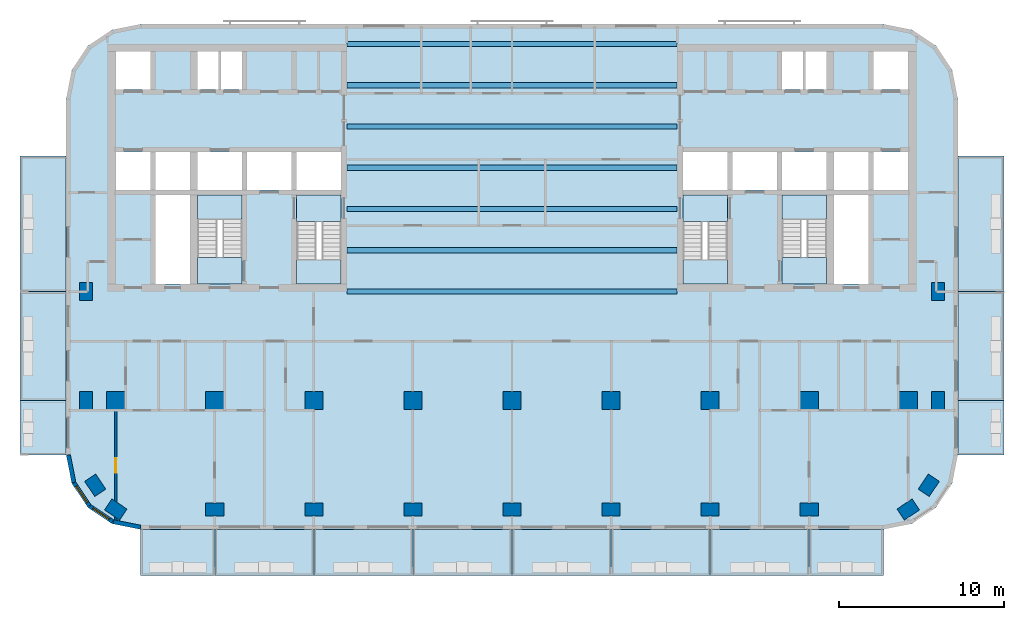
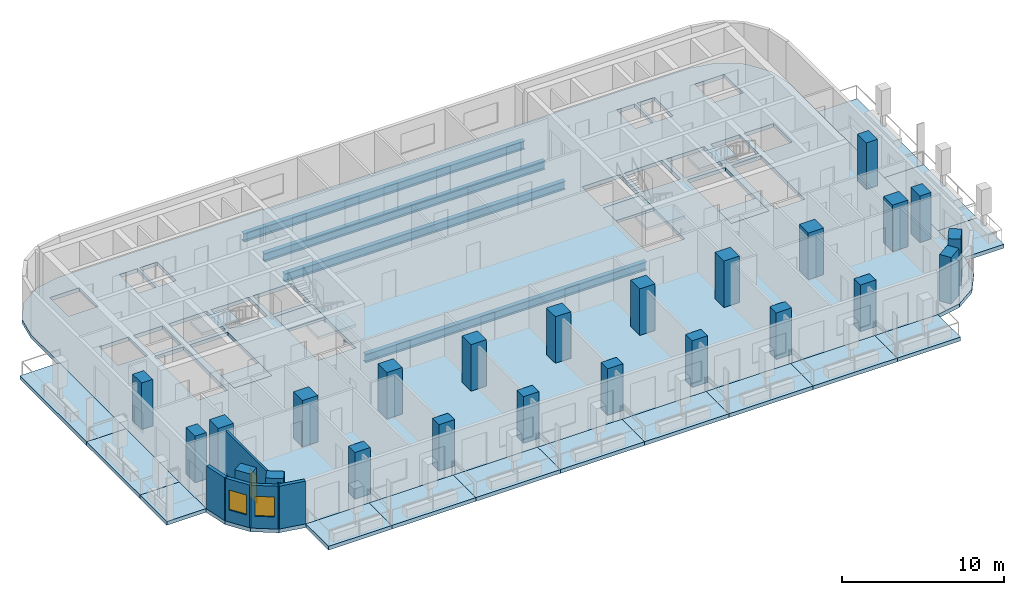
# One storey, part 1 of 12: 24 columns, 23 slabs, 7 beams, 5 walls, 2 windows, 1 door, 3 openings, 4 elements without a shape of their own.
"""IFC4 building model written with IfcOpenShell, lengths in metres."""

from ifc_helpers import new_model, si_unit, direction, frame, frame_2d, origin, origin_2d, place, context, subcontext, project, spatial, polyline, rectangle, i_section, outline, extrude, material, layer, layer_set, material_profile, profile_set, type_object, element, fill, aggregate, save


model = new_model("IFC4")

# Units and contexts
model_context = context("Model", 3, precision=1e-05, world=origin(), true_north=direction((0.0, 1.0)))
body_context = subcontext(model_context, "Body", "Model", "MODEL_VIEW")
ifc_project = project(units=[si_unit("LENGTHUNIT", "METRE"), si_unit("AREAUNIT", "SQUARE_METRE"), si_unit("VOLUMEUNIT", "CUBIC_METRE"), si_unit("PLANEANGLEUNIT", "RADIAN"), si_unit("MASSUNIT", "GRAM", prefix="KILO")], contexts=[model_context])

# Site, building, storey
site_placement = place(None, origin())
site = spatial("IfcSite", under=ifc_project, at=site_placement, CompositionType="ELEMENT")
building_placement = place(site_placement, origin())
building = spatial("IfcBuilding", under=site, at=building_placement, Name="Torana Hotel and Residences", CompositionType="ELEMENT")
storey_placement = place(building_placement, frame((0.0, 0.0, 201.10009765625)))
storey = spatial("IfcBuildingStorey", under=building, at=storey_placement, Name="L52", CompositionType="ELEMENT", Elevation=201.10009765625)

# Columns
ifc_material_1 = material(Name="Concrete C60/75", Category="concrete")
ifc_material_profile_1 = material_profile(ifc_material_1, rectangle(XDim=1.10009765625, YDim=1.10009765625, at=origin_2d()), Name="RC 1100x1100")
ifc_profile_set_1 = profile_set([ifc_material_profile_1], Name="Concrete C60/75")
column_type_1 = type_object("IfcColumnType", Name="COLUMN RC 1100x1100 C60/75", PredefinedType="COLUMN", material=ifc_profile_set_1)
for number, where, z_axis, x_axis, name in (
    (1, (-24.0, -21.60009765625, 0.0), (0.0, 0.0, 1.0), (1.0, 0.0, 0.0), "Column L52"),
    (2, (-18.0, -21.60009765625, 0.0), (0.0, 0.0, 1.0), (1.0, 0.0, 0.0), "Column L52"),
    (3, (-12.0, -21.60009765625, 0.0), (0.0, 0.0, 1.0), (1.0, 0.0, 0.0), "Column L52"),
    (4, (-6.0, -21.60009765625, 0.0), (0.0, 0.0, 1.0), (1.0, 0.0, 0.0), "Column L52"),
    (5, (0.0, -21.60009765625, 0.0), (0.0, 0.0, 1.0), (1.0, 0.0, 0.0), "Column L52"),
    (6, (6.0, -21.60009765625, 0.0), (0.0, 0.0, 1.0), (1.0, 0.0, 0.0), "Column L52"),
    (7, (12.0, -21.60009765625, 0.0), (0.0, 0.0, 1.0), (1.0, 0.0, 0.0), "Column L52"),
    (8, (18.0, -21.60009765625, 0.0), (0.0, 0.0, 1.0), (1.0, 0.0, 0.0), "Column L52"),
    (9, (24.0, -21.60009765625, 0.0), (0.0, 0.0, 1.0), (1.0, 0.0, 0.0), "Column L52"),
):
    element("IfcColumn", number, at=place(storey_placement, frame(where, z_axis=z_axis, x_axis=x_axis)), inside=storey, type_object=column_type_1, Name=name, PredefinedType="COLUMN", context=body_context, shape_type="SweptSolid", body=[
        extrude(rectangle(XDim=1.10009765625, YDim=1.10009765625, at=origin_2d()), origin(), (0.0, 0.0, 1.0), 3.5),
    ])
ifc_material_2 = material(Name="Concrete C60/75", Category="concrete")
ifc_material_profile_2 = material_profile(ifc_material_2, rectangle(XDim=1.10009765625, YDim=0.800048828125, at=origin_2d()), Name="RC 1100x800")
ifc_profile_set_2 = profile_set([ifc_material_profile_2], Name="Concrete C60/75")
column_type_2 = type_object("IfcColumnType", Name="COLUMN RC 1100x800 C60/75", PredefinedType="COLUMN", material=ifc_profile_set_2)
for number, where, z_axis, x_axis, name in (
    (10, (-25.800048828125, -21.60009765625, 0.0), (0.0, 0.0, 1.0), (0.0, 1.0, 0.0), "Column L52"),
    (11, (-25.800048828125, -15.0, 0.0), (0.0, 0.0, 1.0), (0.0, 1.0, 0.0), "Column L52"),
    (12, (-25.243896484375, -26.73291015625, 0.0), (0.0, 0.0, 1.0), (-0.555584744817, 0.831459915646, 0.0), "Column L52"),
    (13, (-24.0, -28.199951171875, 0.0), (0.0, 0.0, 1.0), (-0.831459915646, 0.555584744817, 0.0), "Column L52"),
    (14, (-18.0, -28.199951171875, 0.0), (0.0, 0.0, 1.0), (1.0, 0.0, 0.0), "Column L52"),
    (15, (-12.0, -28.199951171875, 0.0), (0.0, 0.0, 1.0), (1.0, 0.0, 0.0), "Column L52"),
    (16, (-6.0, -28.199951171875, 0.0), (0.0, 0.0, 1.0), (1.0, 0.0, 0.0), "Column L52"),
    (17, (0.0, -28.199951171875, 0.0), (0.0, 0.0, 1.0), (1.0, 0.0, 0.0), "Column L52"),
    (18, (6.0, -28.199951171875, 0.0), (0.0, 0.0, 1.0), (1.0, 0.0, 0.0), "Column L52"),
    (19, (12.0, -28.199951171875, 0.0), (0.0, 0.0, 1.0), (1.0, 0.0, 0.0), "Column L52"),
    (20, (18.0, -28.199951171875, 0.0), (0.0, 0.0, 1.0), (1.0, 0.0, 0.0), "Column L52"),
    (21, (24.0, -28.199951171875, 0.0), (0.0, 0.0, 1.0), (0.831459915646, 0.555584744817, 0.0), "Column L52"),
    (22, (25.243896484375, -26.73291015625, 0.0), (0.0, 0.0, 1.0), (0.555584744817, 0.831459915646, 0.0), "Column L52"),
    (23, (25.800048828125, -21.60009765625, 0.0), (0.0, 0.0, 1.0), (0.0, 1.0, 0.0), "Column L52"),
    (24, (25.800048828125, -15.0, 0.0), (0.0, 0.0, 1.0), (0.0, 1.0, 0.0), "Column L52"),
):
    element("IfcColumn", number, at=place(storey_placement, frame(where, z_axis=z_axis, x_axis=x_axis)), inside=storey, type_object=column_type_2, Name=name, PredefinedType="COLUMN", context=body_context, shape_type="SweptSolid", body=[
        extrude(rectangle(XDim=1.10009765625, YDim=0.800048828125, at=origin_2d()), origin(), (0.0, 0.0, 1.0), 3.5),
    ])

# Beams
ifc_material_3 = material(Name="Steel S355", Category="steel")
ifc_material_profile_3 = material_profile(ifc_material_3, i_section(OverallWidth=0.311279296875, OverallDepth=0.6357421875, WebThickness=0.018310546875, FlangeThickness=0.031494140625, FilletRadius=0.0166015625, at=origin_2d()), Name="610x305x238 UB")
ifc_profile_set_3 = profile_set([ifc_material_profile_3], Name="Steel S355")
beam_type = type_object("IfcBeamType", Name="STEEL GIRDER 610x305x238 UB", PredefinedType="BEAM", material=ifc_profile_set_3)
for number, where, z_axis, x_axis, name in (
    (25, (-10.0, -15.0, -0.597900390625), (1.0, 0.0, 0.0), (0.0, 1.0, 0.0), "Floor girder"),
    (26, (-10.0, -12.5, -0.597900390625), (1.0, 0.0, 0.0), (0.0, 1.0, 0.0), "Floor girder"),
    (27, (-10.0, -10.0, -0.597900390625), (1.0, 0.0, 0.0), (0.0, 1.0, 0.0), "Floor girder"),
    (28, (-10.0, -7.5, -0.597900390625), (1.0, 0.0, 0.0), (0.0, 1.0, 0.0), "Floor girder"),
    (29, (-10.0, -5.0, -0.597900390625), (1.0, 0.0, 0.0), (0.0, 1.0, 0.0), "Floor girder"),
    (30, (-10.0, -2.5, -0.597900390625), (1.0, 0.0, 0.0), (0.0, 1.0, 0.0), "Floor girder"),
    (31, (-10.0, 0.0, -0.597900390625), (1.0, 0.0, 0.0), (0.0, 1.0, 0.0), "Floor girder"),
):
    element("IfcBeam", number, at=place(storey_placement, frame(where, z_axis=z_axis, x_axis=x_axis)), inside=storey, type_object=beam_type, Name=name, PredefinedType="BEAM", context=body_context, shape_type="SweptSolid", body=[
        extrude(i_section(OverallWidth=0.311279296875, OverallDepth=0.6357421875, WebThickness=0.018310546875, FlangeThickness=0.031494140625, FilletRadius=0.0166015625, at=origin_2d()), origin(), (0.0, 0.0, 1.0), 20.0),
    ])

# Slabs
ifc_material_4 = material(Name="Concrete C40/50", Category="concrete")
ifc_layer_1 = layer(ifc_material_4, 0.280029296875)
ifc_layer_set_1 = layer_set([ifc_layer_1], Name="BAL1 BALCONY SLAB 280")
slab_type_1 = type_object("IfcSlabType", Name="BAL1 BALCONY SLAB 280", PredefinedType="USERDEFINED", material=ifc_layer_set_1)
slab_1_placement = place(storey_placement, frame((0.0, 0.0, -0.280029296875)))
element("IfcSlab", 32, at=slab_1_placement, inside=storey, type_object=slab_type_1, Name="Balcony 01", ObjectType="BALCONY", PredefinedType="USERDEFINED", context=body_context, shape_type="SweptSolid", body=[
    extrude(outline(polyline([(-22.5, -32.199951171875), (-18.0, -32.199951171875), (-18.0, -29.39990234375), (-22.5, -29.39990234375), (-22.5, -32.199951171875)])), origin(), (0.0, 0.0, 1.0), 0.280029296875),
])
slab_2_placement = place(storey_placement, frame((0.0, 0.0, -0.280029296875)))
element("IfcSlab", 33, at=slab_2_placement, inside=storey, type_object=slab_type_1, Name="Balcony 02", ObjectType="BALCONY", PredefinedType="USERDEFINED", context=body_context, shape_type="SweptSolid", body=[
    extrude(outline(polyline([(-18.0, -32.199951171875), (-12.0, -32.199951171875), (-12.0, -29.39990234375), (-18.0, -29.39990234375), (-18.0, -32.199951171875)])), origin(), (0.0, 0.0, 1.0), 0.280029296875),
])
slab_3_placement = place(storey_placement, frame((0.0, 0.0, -0.280029296875)))
element("IfcSlab", 34, at=slab_3_placement, inside=storey, type_object=slab_type_1, Name="Balcony 03", ObjectType="BALCONY", PredefinedType="USERDEFINED", context=body_context, shape_type="SweptSolid", body=[
    extrude(outline(polyline([(-12.0, -32.199951171875), (-6.0, -32.199951171875), (-6.0, -29.39990234375), (-12.0, -29.39990234375), (-12.0, -32.199951171875)])), origin(), (0.0, 0.0, 1.0), 0.280029296875),
])
slab_4_placement = place(storey_placement, frame((0.0, 0.0, -0.280029296875)))
element("IfcSlab", 35, at=slab_4_placement, inside=storey, type_object=slab_type_1, Name="Balcony 04", ObjectType="BALCONY", PredefinedType="USERDEFINED", context=body_context, shape_type="SweptSolid", body=[
    extrude(outline(polyline([(-6.0, -32.199951171875), (0.0, -32.199951171875), (0.0, -29.39990234375), (-6.0, -29.39990234375), (-6.0, -32.199951171875)])), origin(), (0.0, 0.0, 1.0), 0.280029296875),
])
slab_5_placement = place(storey_placement, frame((0.0, 0.0, -0.280029296875)))
element("IfcSlab", 36, at=slab_5_placement, inside=storey, type_object=slab_type_1, Name="Balcony 05", ObjectType="BALCONY", PredefinedType="USERDEFINED", context=body_context, shape_type="SweptSolid", body=[
    extrude(outline(polyline([(0.0, -32.199951171875), (6.0, -32.199951171875), (6.0, -29.39990234375), (0.0, -29.39990234375), (0.0, -32.199951171875)])), origin(), (0.0, 0.0, 1.0), 0.280029296875),
])
slab_6_placement = place(storey_placement, frame((0.0, 0.0, -0.280029296875)))
element("IfcSlab", 37, at=slab_6_placement, inside=storey, type_object=slab_type_1, Name="Balcony 06", ObjectType="BALCONY", PredefinedType="USERDEFINED", context=body_context, shape_type="SweptSolid", body=[
    extrude(outline(polyline([(6.0, -32.199951171875), (12.0, -32.199951171875), (12.0, -29.39990234375), (6.0, -29.39990234375), (6.0, -32.199951171875)])), origin(), (0.0, 0.0, 1.0), 0.280029296875),
])
slab_7_placement = place(storey_placement, frame((0.0, 0.0, -0.280029296875)))
element("IfcSlab", 38, at=slab_7_placement, inside=storey, type_object=slab_type_1, Name="Balcony 07", ObjectType="BALCONY", PredefinedType="USERDEFINED", context=body_context, shape_type="SweptSolid", body=[
    extrude(outline(polyline([(12.0, -32.199951171875), (18.0, -32.199951171875), (18.0, -29.39990234375), (12.0, -29.39990234375), (12.0, -32.199951171875)])), origin(), (0.0, 0.0, 1.0), 0.280029296875),
])
slab_8_placement = place(storey_placement, frame((0.0, 0.0, -0.280029296875)))
element("IfcSlab", 39, at=slab_8_placement, inside=storey, type_object=slab_type_1, Name="Balcony 08", ObjectType="BALCONY", PredefinedType="USERDEFINED", context=body_context, shape_type="SweptSolid", body=[
    extrude(outline(polyline([(18.0, -32.199951171875), (22.5, -32.199951171875), (22.5, -29.39990234375), (18.0, -29.39990234375), (18.0, -32.199951171875)])), origin(), (0.0, 0.0, 1.0), 0.280029296875),
])
slab_9_placement = place(storey_placement, frame((0.0, 0.0, -0.280029296875)))
element("IfcSlab", 40, at=slab_9_placement, inside=storey, type_object=slab_type_1, Name="Balcony 09", ObjectType="BALCONY", PredefinedType="USERDEFINED", context=body_context, shape_type="SweptSolid", body=[
    extrude(outline(polyline([(-29.800048828125, -24.89990234375), (-27.0, -24.89990234375), (-27.0, -21.60009765625), (-29.800048828125, -21.60009765625), (-29.800048828125, -24.89990234375)])), origin(), (0.0, 0.0, 1.0), 0.280029296875),
])
slab_10_placement = place(storey_placement, frame((0.0, 0.0, -0.280029296875)))
element("IfcSlab", 41, at=slab_10_placement, inside=storey, type_object=slab_type_1, Name="Balcony 10", ObjectType="BALCONY", PredefinedType="USERDEFINED", context=body_context, shape_type="SweptSolid", body=[
    extrude(outline(polyline([(-29.800048828125, -21.60009765625), (-27.0, -21.60009765625), (-27.0, -15.0), (-29.800048828125, -15.0), (-29.800048828125, -21.60009765625)])), origin(), (0.0, 0.0, 1.0), 0.280029296875),
])
slab_11_placement = place(storey_placement, frame((0.0, 0.0, -0.280029296875)))
element("IfcSlab", 42, at=slab_11_placement, inside=storey, type_object=slab_type_1, Name="Balcony 11", ObjectType="BALCONY", PredefinedType="USERDEFINED", context=body_context, shape_type="SweptSolid", body=[
    extrude(outline(polyline([(-29.800048828125, -15.0), (-27.0, -15.0), (-27.0, -6.800048828125), (-29.800048828125, -6.800048828125), (-29.800048828125, -15.0)])), origin(), (0.0, 0.0, 1.0), 0.280029296875),
])
slab_12_placement = place(storey_placement, frame((0.0, 0.0, -0.280029296875)))
element("IfcSlab", 43, at=slab_12_placement, inside=storey, type_object=slab_type_1, Name="Balcony 12", ObjectType="BALCONY", PredefinedType="USERDEFINED", context=body_context, shape_type="SweptSolid", body=[
    extrude(outline(polyline([(27.0, -24.89990234375), (29.800048828125, -24.89990234375), (29.800048828125, -21.60009765625), (27.0, -21.60009765625), (27.0, -24.89990234375)])), origin(), (0.0, 0.0, 1.0), 0.280029296875),
])
slab_13_placement = place(storey_placement, frame((0.0, 0.0, -0.280029296875)))
element("IfcSlab", 44, at=slab_13_placement, inside=storey, type_object=slab_type_1, Name="Balcony 13", ObjectType="BALCONY", PredefinedType="USERDEFINED", context=body_context, shape_type="SweptSolid", body=[
    extrude(outline(polyline([(27.0, -21.60009765625), (29.800048828125, -21.60009765625), (29.800048828125, -15.0), (27.0, -15.0), (27.0, -21.60009765625)])), origin(), (0.0, 0.0, 1.0), 0.280029296875),
])
slab_14_placement = place(storey_placement, frame((0.0, 0.0, -0.280029296875)))
element("IfcSlab", 45, at=slab_14_placement, inside=storey, type_object=slab_type_1, Name="Balcony 14", ObjectType="BALCONY", PredefinedType="USERDEFINED", context=body_context, shape_type="SweptSolid", body=[
    extrude(outline(polyline([(27.0, -15.0), (29.800048828125, -15.0), (29.800048828125, -6.800048828125), (27.0, -6.800048828125), (27.0, -15.0)])), origin(), (0.0, 0.0, 1.0), 0.280029296875),
])
ifc_material_5 = material(Name="Concrete C40/50", Category="concrete")
ifc_layer_2 = layer(ifc_material_5, 0.280029296875)
ifc_layer_set_2 = layer_set([ifc_layer_2], Name="FLOOR SLAB PT 280")
slab_type_2 = type_object("IfcSlabType", Name="FLOOR SLAB PT 280", PredefinedType="FLOOR", material=ifc_layer_set_2)
slab_15_placement = place(storey_placement, frame((0.0, 0.0, -0.280029296875)))
element("IfcSlab", 46, at=slab_15_placement, inside=storey, type_object=slab_type_2, Name="Floor slab", PredefinedType="FLOOR", context=body_context, shape_type="SweptSolid", body=[
    extrude(outline(polyline([(27.0, -3.300048828125), (26.657470703125, -1.577880859375), (25.681884765625, -0.117919921875), (24.22216796875, 0.857421875), (22.5, 1.199951171875), (-22.5, 1.199951171875), (-24.22216796875, 0.857421875), (-25.681884765625, -0.117919921875), (-26.657470703125, -1.577880859375), (-27.0, -3.300048828125), (-27.0, -24.89990234375), (-26.657470703125, -26.6220703125), (-25.681884765625, -28.08203125), (-24.22216796875, -29.0576171875), (-22.5, -29.39990234375), (22.5, -29.39990234375), (24.22216796875, -29.0576171875), (25.681884765625, -28.08203125), (26.657470703125, -26.6220703125), (27.0, -24.89990234375), (27.0, -3.300048828125)]), holes=[polyline([(-13.050048828125, -14.550048828125), (-10.35009765625, -14.550048828125), (-10.35009765625, -9.14990234375), (-13.050048828125, -9.14990234375), (-13.050048828125, -14.550048828125)]), polyline([(-19.050048828125, -14.550048828125), (-16.35009765625, -14.550048828125), (-16.35009765625, -9.14990234375), (-19.050048828125, -9.14990234375), (-19.050048828125, -14.550048828125)]), polyline([(-17.625, -2.75), (-16.35009765625, -2.75), (-16.35009765625, -0.449951171875), (-17.625, -0.449951171875), (-17.625, -2.75)]), polyline([(-19.050048828125, -2.75), (-17.77490234375, -2.75), (-17.77490234375, -0.449951171875), (-19.050048828125, -0.449951171875), (-19.050048828125, -2.75)]), polyline([(-21.60009765625, -8.85009765625), (-19.5, -8.85009765625), (-19.5, -6.550048828125), (-21.60009765625, -6.550048828125), (-21.60009765625, -8.85009765625)]), polyline([(-24.0, -2.75), (-21.89990234375, -2.75), (-21.89990234375, -0.449951171875), (-24.0, -0.449951171875), (-24.0, -2.75)]), polyline([(-24.0, -8.85009765625), (-21.89990234375, -8.85009765625), (-21.89990234375, -6.550048828125), (-24.0, -6.550048828125), (-24.0, -8.85009765625)]), polyline([(-13.050048828125, -8.85009765625), (-10.35009765625, -8.85009765625), (-10.35009765625, -6.550048828125), (-13.050048828125, -6.550048828125), (-13.050048828125, -8.85009765625)]), polyline([(-16.050048828125, -8.85009765625), (-13.35009765625, -8.85009765625), (-13.35009765625, -6.550048828125), (-16.050048828125, -6.550048828125), (-16.050048828125, -8.85009765625)]), polyline([(-19.050048828125, -8.85009765625), (-16.35009765625, -8.85009765625), (-16.35009765625, -6.550048828125), (-19.050048828125, -6.550048828125), (-19.050048828125, -8.85009765625)]), polyline([(-21.60009765625, -14.550048828125), (-19.5, -14.550048828125), (-19.5, -9.14990234375), (-21.60009765625, -9.14990234375), (-21.60009765625, -14.550048828125)]), polyline([(10.35009765625, -14.550048828125), (13.050048828125, -14.550048828125), (13.050048828125, -9.14990234375), (10.35009765625, -9.14990234375), (10.35009765625, -14.550048828125)]), polyline([(16.35009765625, -14.550048828125), (19.050048828125, -14.550048828125), (19.050048828125, -9.14990234375), (16.35009765625, -9.14990234375), (16.35009765625, -14.550048828125)]), polyline([(16.35009765625, -2.75), (17.625, -2.75), (17.625, -0.449951171875), (16.35009765625, -0.449951171875), (16.35009765625, -2.75)]), polyline([(17.77490234375, -2.75), (19.050048828125, -2.75), (19.050048828125, -0.449951171875), (17.77490234375, -0.449951171875), (17.77490234375, -2.75)]), polyline([(19.5, -8.85009765625), (21.60009765625, -8.85009765625), (21.60009765625, -6.550048828125), (19.5, -6.550048828125), (19.5, -8.85009765625)]), polyline([(21.89990234375, -2.75), (24.0, -2.75), (24.0, -0.449951171875), (21.89990234375, -0.449951171875), (21.89990234375, -2.75)]), polyline([(21.89990234375, -8.85009765625), (24.0, -8.85009765625), (24.0, -6.550048828125), (21.89990234375, -6.550048828125), (21.89990234375, -8.85009765625)]), polyline([(10.35009765625, -8.85009765625), (13.050048828125, -8.85009765625), (13.050048828125, -6.550048828125), (10.35009765625, -6.550048828125), (10.35009765625, -8.85009765625)]), polyline([(13.35009765625, -8.85009765625), (16.050048828125, -8.85009765625), (16.050048828125, -6.550048828125), (13.35009765625, -6.550048828125), (13.35009765625, -8.85009765625)]), polyline([(16.35009765625, -8.85009765625), (19.050048828125, -8.85009765625), (19.050048828125, -6.550048828125), (16.35009765625, -6.550048828125), (16.35009765625, -8.85009765625)]), polyline([(19.5, -14.550048828125), (21.60009765625, -14.550048828125), (21.60009765625, -9.14990234375), (19.5, -9.14990234375), (19.5, -14.550048828125)])]), origin(), (0.0, 0.0, 1.0), 0.280029296875),
])

# Stair, slabs
ifc_material_6 = material(Name="Concrete C40/50 precast", Category="concrete")
stair_type_1 = type_object("IfcStairType", Name="STAIR ST1 HALF TURN 1200", PredefinedType="HALF_TURN_STAIR", material=ifc_material_6)
stair_1_placement = place(storey_placement, origin())
stair_1 = element("IfcStair", 47, at=stair_1_placement, inside=storey, type_object=stair_type_1, Name="Stair ST1 L52", PredefinedType="HALF_TURN_STAIR")
ifc_material_7 = material(Name="Concrete C40/50 precast", Category="concrete")
ifc_layer_3 = layer(ifc_material_7, 0.199951171875)
ifc_layer_set_3 = layer_set([ifc_layer_3], Name="STAIR LANDING 200")
slab_type_3 = type_object("IfcSlabType", Name="STAIR LANDING 200", PredefinedType="LANDING", material=ifc_layer_set_3)
slab_16_placement = place(storey_placement, frame((0.0, 0.0, 1.5498046875)))
slab_16 = element("IfcSlab", 48, at=slab_16_placement, type_object=slab_type_3, Name="ST1 landing 1", PredefinedType="LANDING", context=body_context, shape_type="SweptSolid", body=[
    extrude(outline(polyline([(-13.050048828125, -14.550048828125), (-10.35009765625, -14.550048828125), (-10.35009765625, -13.090087890625), (-13.050048828125, -13.090087890625), (-13.050048828125, -14.550048828125)])), origin(), (0.0, 0.0, 1.0), 0.2001953125),
])
slab_17_placement = place(storey_placement, frame((0.0, 0.0, -0.2001953125)))
slab_17 = element("IfcSlab", 49, at=slab_17_placement, type_object=slab_type_3, Name="ST1 landing 2", PredefinedType="LANDING", context=body_context, shape_type="SweptSolid", body=[
    extrude(outline(polyline([(-13.050048828125, -10.75), (-10.35009765625, -10.75), (-10.35009765625, -9.14990234375), (-13.050048828125, -9.14990234375), (-13.050048828125, -10.75)])), origin(), (0.0, 0.0, 1.0), 0.2001953125),
])
aggregate(stair_1, [slab_16, slab_17])

ifc_material_8 = material(Name="Concrete C40/50 precast", Category="concrete")
stair_type_2 = type_object("IfcStairType", Name="STAIR ST2 HALF TURN 1200", PredefinedType="HALF_TURN_STAIR", material=ifc_material_8)
stair_2_placement = place(storey_placement, origin())
stair_2 = element("IfcStair", 50, at=stair_2_placement, inside=storey, type_object=stair_type_2, Name="Stair ST2 L52", PredefinedType="HALF_TURN_STAIR")
slab_18_placement = place(storey_placement, frame((0.0, 0.0, 1.5498046875)))
slab_18 = element("IfcSlab", 51, at=slab_18_placement, type_object=slab_type_3, Name="ST2 landing 1", PredefinedType="LANDING", context=body_context, shape_type="SweptSolid", body=[
    extrude(outline(polyline([(-19.050048828125, -10.610107421875), (-16.35009765625, -10.610107421875), (-16.35009765625, -9.14990234375), (-19.050048828125, -9.14990234375), (-19.050048828125, -10.610107421875)])), origin(), (0.0, 0.0, 1.0), 0.2001953125),
])
slab_19_placement = place(storey_placement, frame((0.0, 0.0, -0.2001953125)))
slab_19 = element("IfcSlab", 52, at=slab_19_placement, type_object=slab_type_3, Name="ST2 landing 2", PredefinedType="LANDING", context=body_context, shape_type="SweptSolid", body=[
    extrude(outline(polyline([(-19.050048828125, -14.550048828125), (-16.35009765625, -14.550048828125), (-16.35009765625, -12.949951171875), (-19.050048828125, -12.949951171875), (-19.050048828125, -14.550048828125)])), origin(), (0.0, 0.0, 1.0), 0.2001953125),
])
aggregate(stair_2, [slab_18, slab_19])

ifc_material_9 = material(Name="Concrete C40/50 precast", Category="concrete")
stair_type_3 = type_object("IfcStairType", Name="STAIR ST3 HALF TURN 1200", PredefinedType="HALF_TURN_STAIR", material=ifc_material_9)
stair_3_placement = place(storey_placement, origin())
stair_3 = element("IfcStair", 53, at=stair_3_placement, inside=storey, type_object=stair_type_3, Name="Stair ST3 L52", PredefinedType="HALF_TURN_STAIR")
slab_20_placement = place(storey_placement, frame((0.0, 0.0, 1.5498046875)))
slab_20 = element("IfcSlab", 54, at=slab_20_placement, type_object=slab_type_3, Name="ST3 landing 1", PredefinedType="LANDING", context=body_context, shape_type="SweptSolid", body=[
    extrude(outline(polyline([(10.35009765625, -14.550048828125), (13.050048828125, -14.550048828125), (13.050048828125, -13.090087890625), (10.35009765625, -13.090087890625), (10.35009765625, -14.550048828125)])), origin(), (0.0, 0.0, 1.0), 0.2001953125),
])
slab_21_placement = place(storey_placement, frame((0.0, 0.0, -0.2001953125)))
slab_21 = element("IfcSlab", 55, at=slab_21_placement, type_object=slab_type_3, Name="ST3 landing 2", PredefinedType="LANDING", context=body_context, shape_type="SweptSolid", body=[
    extrude(outline(polyline([(10.35009765625, -10.75), (13.050048828125, -10.75), (13.050048828125, -9.14990234375), (10.35009765625, -9.14990234375), (10.35009765625, -10.75)])), origin(), (0.0, 0.0, 1.0), 0.2001953125),
])
aggregate(stair_3, [slab_20, slab_21])

ifc_material_10 = material(Name="Concrete C40/50 precast", Category="concrete")
stair_type_4 = type_object("IfcStairType", Name="STAIR ST4 HALF TURN 1200", PredefinedType="HALF_TURN_STAIR", material=ifc_material_10)
stair_4_placement = place(storey_placement, origin())
stair_4 = element("IfcStair", 56, at=stair_4_placement, inside=storey, type_object=stair_type_4, Name="Stair ST4 L52", PredefinedType="HALF_TURN_STAIR")
slab_22_placement = place(storey_placement, frame((0.0, 0.0, 1.5498046875)))
slab_22 = element("IfcSlab", 57, at=slab_22_placement, type_object=slab_type_3, Name="ST4 landing 1", PredefinedType="LANDING", context=body_context, shape_type="SweptSolid", body=[
    extrude(outline(polyline([(16.35009765625, -10.610107421875), (19.050048828125, -10.610107421875), (19.050048828125, -9.14990234375), (16.35009765625, -9.14990234375), (16.35009765625, -10.610107421875)])), origin(), (0.0, 0.0, 1.0), 0.2001953125),
])
slab_23_placement = place(storey_placement, frame((0.0, 0.0, -0.2001953125)))
slab_23 = element("IfcSlab", 58, at=slab_23_placement, type_object=slab_type_3, Name="ST4 landing 2", PredefinedType="LANDING", context=body_context, shape_type="SweptSolid", body=[
    extrude(outline(polyline([(16.35009765625, -14.550048828125), (19.050048828125, -14.550048828125), (19.050048828125, -12.949951171875), (16.35009765625, -12.949951171875), (16.35009765625, -14.550048828125)])), origin(), (0.0, 0.0, 1.0), 0.2001953125),
])
aggregate(stair_4, [slab_22, slab_23])

# Wall
ifc_material_11 = material(Name="Black aluminium composite panel", Category="aluminium")
ifc_layer_4 = layer(ifc_material_11, 0.00390625, Name="Cladding", Category="cladding")
ifc_material_12 = material(Name="Ventilated air cavity")
ifc_layer_5 = layer(ifc_material_12, 0.0400390625, Name="Ventilated cavity", Category="cavity")
ifc_material_13 = material(Name="Mineral wool insulation")
ifc_layer_6 = layer(ifc_material_13, 0.090087890625, Name="Insulation", Category="insulation")
ifc_material_14 = material(Name="Steel S280GD", Category="steel")
ifc_layer_7 = layer(ifc_material_14, 0.092041015625, Name="Steel stud frame", Category="structure")
ifc_material_15 = material(Name="Fire rated plasterboard")
ifc_layer_8 = layer(ifc_material_15, 0.011962890625, Name="Inner board", Category="finish")
ifc_layer_9 = layer(ifc_material_15, 0.011962890625, Name="Second board", Category="finish")
ifc_layer_set_4 = layer_set([ifc_layer_4, ifc_layer_5, ifc_layer_6, ifc_layer_7, ifc_layer_8, ifc_layer_9], Name="EW1 EXTERNAL WALL BLACK METAL CLAD 250")
wall_type_1 = type_object("IfcWallType", Name="EW1 EXTERNAL WALL BLACK METAL CLAD 250", PredefinedType="SOLIDWALL", material=ifc_layer_set_4)
wall_1_placement = place(storey_placement, frame((-26.87255859375, -24.89990234375, 0.0), z_axis=(0.0, 0.0, 1.0), x_axis=(0.195026884138, -0.980797896849, 0.0)))
element("IfcWall", 59, at=wall_1_placement, inside=storey, type_object=wall_type_1, Name="External wall L52 e0.10", PredefinedType="SOLIDWALL", context=body_context, shape_type="SweptSolid", body=[
    extrude(rectangle(XDim=1.68115234375, YDim=0.25, at=frame_2d((0.840576171875, 0.0))), origin(), (0.0, 0.0, 1.0), 3.219970703125),
])

# Wall, opening, window
wall_2_placement = place(storey_placement, frame((-26.52587890625, -26.593994140625, 0.0), z_axis=(0.0, 0.0, 1.0), x_axis=(0.55555029066, -0.831482937015, 0.0)))
wall_2 = element("IfcWall", 60, at=wall_2_placement, inside=storey, type_object=wall_type_1, Name="External wall L52 e0.11", PredefinedType="SOLIDWALL", context=body_context, shape_type="SweptSolid", body=[
    extrude(rectangle(XDim=1.65625, YDim=0.25, at=frame_2d((0.828125, 0.0))), origin(), (0.0, 0.0, 1.0), 3.219970703125),
])
opening_1_placement = place(wall_2_placement, frame((0.228271484375, 0.0, 0.89990234375)))
opening_1 = element("IfcOpeningElement", 61, at=opening_1_placement, cuts=wall_2, Name="Opening W5", PredefinedType="OPENING", context=body_context, shape_type="SweptSolid", body=[
    extrude(rectangle(XDim=1.199951171875, YDim=1.5, at=frame_2d((0.60009765625, 0.75))), frame((0.0, 0.135009765625, 0.0), z_axis=(0.0, -1.0, 0.0), x_axis=(1.0, 0.0, 0.0)), (0.0, 0.0, 1.0), 0.27001953125),
])
ifc_material_16 = material(Name="Dark glass in black aluminium frame", Category="aluminium")
window_type = type_object("IfcWindowType", Name="W5 CORNER FACET WINDOW 1200x1500", PartitioningType="SINGLE_PANEL", PredefinedType="WINDOW", material=ifc_material_16)
window_1_placement = place(opening_1_placement, origin())
window_1 = element("IfcWindow", 62, at=window_1_placement, inside=storey, type_object=window_type, Name="Window L52 e0.11", OverallHeight=1.5, OverallWidth=1.199951171875, PartitioningType="SINGLE_PANEL", PredefinedType="WINDOW", context=body_context, shape_type="SweptSolid", body=[
    extrude(rectangle(XDim=1.199951171875, YDim=1.5, at=frame_2d((0.60009765625, 0.75))), frame((0.0, 0.030029296875, 0.0), z_axis=(0.0, -1.0, 0.0), x_axis=(1.0, 0.0, 0.0)), (0.0, 0.0, 1.0), 0.06005859375),
])
fill(opening_1, window_1)

wall_3_placement = place(storey_placement, frame((-25.5712890625, -28.005615234375, 0.0), z_axis=(0.0, 0.0, 1.0), x_axis=(0.831482937015, -0.55555029066, 0.0)))
wall_3 = element("IfcWall", 63, at=wall_3_placement, inside=storey, type_object=wall_type_1, Name="External wall L52 e0.12", PredefinedType="SOLIDWALL", context=body_context, shape_type="SweptSolid", body=[
    extrude(rectangle(XDim=1.65625, YDim=0.25, at=frame_2d((0.828125, 0.0))), origin(), (0.0, 0.0, 1.0), 3.219970703125),
])
opening_2_placement = place(wall_3_placement, frame((0.228271484375, 0.0, 0.89990234375)))
opening_2 = element("IfcOpeningElement", 64, at=opening_2_placement, cuts=wall_3, Name="Opening W5", PredefinedType="OPENING", context=body_context, shape_type="SweptSolid", body=[
    extrude(rectangle(XDim=1.199951171875, YDim=1.5, at=frame_2d((0.60009765625, 0.75))), frame((0.0, 0.135009765625, 0.0), z_axis=(0.0, -1.0, 0.0), x_axis=(1.0, 0.0, 0.0)), (0.0, 0.0, 1.0), 0.27001953125),
])
window_2_placement = place(opening_2_placement, origin())
window_2 = element("IfcWindow", 65, at=window_2_placement, inside=storey, type_object=window_type, Name="Window L52 e0.12", OverallHeight=1.5, OverallWidth=1.199951171875, PartitioningType="SINGLE_PANEL", PredefinedType="WINDOW", context=body_context, shape_type="SweptSolid", body=[
    extrude(rectangle(XDim=1.199951171875, YDim=1.5, at=frame_2d((0.60009765625, 0.75))), frame((0.0, 0.030029296875, 0.0), z_axis=(0.0, -1.0, 0.0), x_axis=(1.0, 0.0, 0.0)), (0.0, 0.0, 1.0), 0.06005859375),
])
fill(opening_2, window_2)

# Wall
wall_4_placement = place(storey_placement, frame((-24.14892578125, -28.944580078125, 0.0), z_axis=(0.0, 0.0, 1.0), x_axis=(0.980775640221, -0.19513878023, 0.0)))
element("IfcWall", 66, at=wall_4_placement, inside=storey, type_object=wall_type_1, Name="External wall L52 e0.13", PredefinedType="SOLIDWALL", context=body_context, shape_type="SweptSolid", body=[
    extrude(rectangle(XDim=1.681396484375, YDim=0.25, at=frame_2d((0.8408203125, 0.0))), origin(), (0.0, 0.0, 1.0), 3.219970703125),
])

# Wall, opening, door
ifc_material_17 = material(Name="Gypsum plasterboard")
ifc_layer_10 = layer(ifc_material_17, 0.012451171875, Name="Plasterboard", Category="finish")
ifc_layer_11 = layer(ifc_material_17, 0.012451171875, Name="Plasterboard", Category="finish")
ifc_layer_12 = layer(ifc_material_14, 0.10009765625, Name="Steel studs with mineral wool", Category="insulation")
ifc_layer_13 = layer(ifc_material_17, 0.012451171875, Name="Plasterboard", Category="finish")
ifc_layer_14 = layer(ifc_material_17, 0.012451171875, Name="Plasterboard", Category="finish")
ifc_layer_set_5 = layer_set([ifc_layer_10, ifc_layer_11, ifc_layer_12, ifc_layer_13, ifc_layer_14], Name="PARTITION 150 PLASTERBOARD")
wall_type_2 = type_object("IfcWallType", Name="PARTITION 150 PLASTERBOARD", PredefinedType="PARTITIONING", material=ifc_layer_set_5)
wall_5_placement = place(storey_placement, frame((-24.0, -28.918212890625, 0.0), z_axis=(0.0, 0.0, 1.0), x_axis=(0.0, 1.0, 0.0)))
wall_5 = element("IfcWall", 67, at=wall_5_placement, inside=storey, type_object=wall_type_2, Name="Partition L52", PredefinedType="PARTITIONING", context=body_context, shape_type="SweptSolid", body=[
    extrude(rectangle(XDim=6.71826171875, YDim=0.14990234375, at=frame_2d((3.359130859375, 0.0))), origin(), (0.0, 0.0, 1.0), 3.219970703125),
])
opening_3_placement = place(wall_5_placement, frame((2.93603515625, 0.0, 0.0)))
opening_3 = element("IfcOpeningElement", 68, at=opening_3_placement, cuts=wall_5, Name="Opening L52-63", PredefinedType="OPENING", context=body_context, shape_type="SweptSolid", body=[
    extrude(rectangle(XDim=0.89990234375, YDim=2.10009765625, at=frame_2d((0.449951171875, 1.050048828125))), frame((0.0, 0.0849609375, 0.0), z_axis=(0.0, -1.0, 0.0), x_axis=(1.0, 0.0, 0.0)), (0.0, 0.0, 1.0), 0.169921875),
])
ifc_material_18 = material(Name="Timber door, oiled ash", Category="wood")
door_type = type_object("IfcDoorType", Name="ROOM DOOR D7 900x2100", OperationType="SINGLE_SWING_LEFT", PredefinedType="DOOR", material=ifc_material_18)
door_placement = place(opening_3_placement, origin())
door = element("IfcDoor", 69, at=door_placement, inside=storey, type_object=door_type, Name="Door L52", OperationType="SINGLE_SWING_RIGHT", OverallHeight=2.10009765625, OverallWidth=0.89990234375, PredefinedType="DOOR", context=body_context, shape_type="SweptSolid", body=[
    extrude(rectangle(XDim=0.89990234375, YDim=2.10009765625, at=frame_2d((0.449951171875, 1.050048828125))), frame((0.0, 0.02490234375, 0.0), z_axis=(0.0, -1.0, 0.0), x_axis=(1.0, 0.0, 0.0)), (0.0, 0.0, 1.0), 0.050048828125),
])
fill(opening_3, door)

save(model, "model.ifc")
